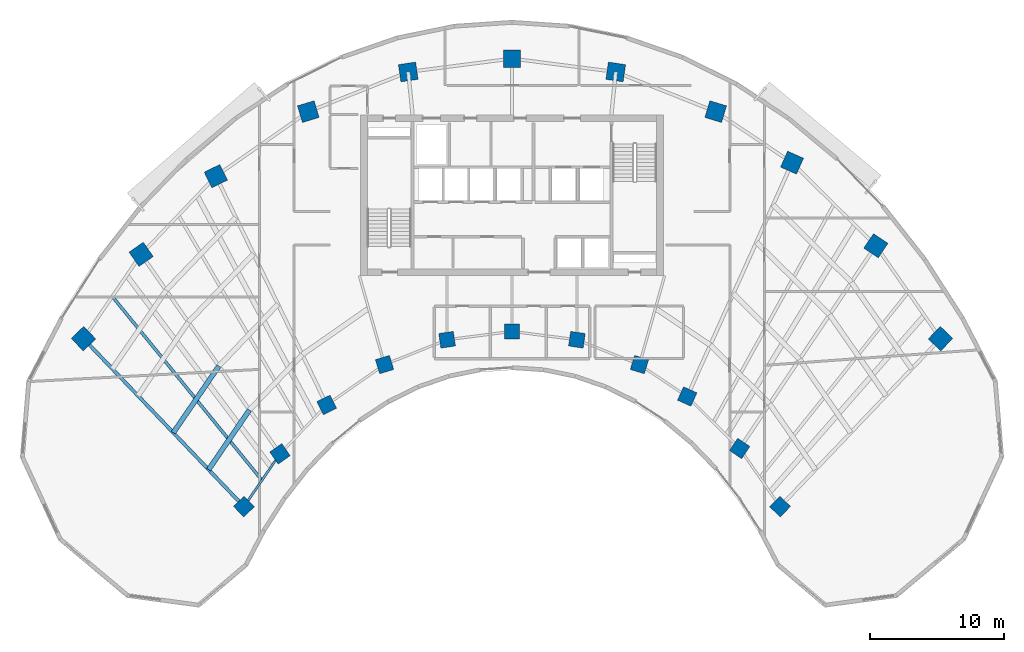
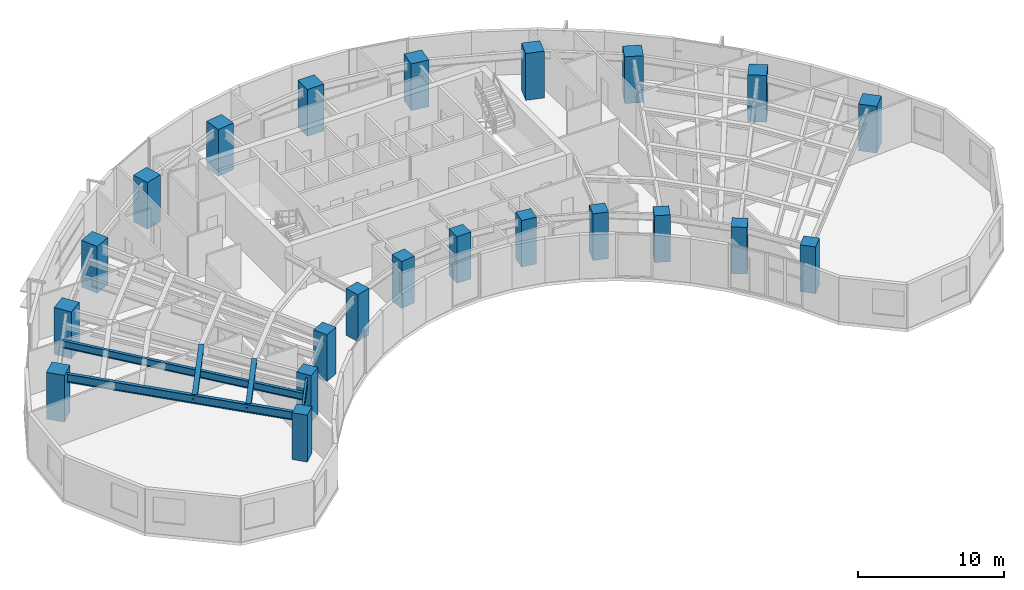
# One storey, part 1 of 14: 22 columns, 5 beams.
"""IFC4 building model written with IfcOpenShell, lengths in metres."""

from ifc_helpers import new_model, si_unit, direction, frame, origin, origin_2d, place, context, subcontext, project, spatial, rectangle, i_section, extrude, source, transform, mapped, material, material_profile, profile_set, type_object, type_shapes, element, save


model = new_model("IFC4")

# Units and contexts
model_context = context("Model", 3, precision=1e-05, world=origin(), true_north=direction((0.0, 1.0)))
body_context = subcontext(model_context, "Body", "Model", "MODEL_VIEW")
ifc_project = project(units=[si_unit("LENGTHUNIT", "METRE"), si_unit("AREAUNIT", "SQUARE_METRE"), si_unit("VOLUMEUNIT", "CUBIC_METRE"), si_unit("PLANEANGLEUNIT", "RADIAN"), si_unit("MASSUNIT", "GRAM", prefix="KILO")], contexts=[model_context])

# Site, building, storey
site_placement = place(None, origin())
site = spatial("IfcSite", under=ifc_project, at=site_placement, CompositionType="ELEMENT")
building_placement = place(site_placement, origin())
building = spatial("IfcBuilding", under=site, at=building_placement, Name="Breltana Convention Tower", CompositionType="ELEMENT")
storey_placement = place(building_placement, frame((0.0, 0.0, 103.800048828125)))
storey = spatial("IfcBuildingStorey", under=building, at=storey_placement, Name="L24", CompositionType="ELEMENT", Elevation=103.800048828125)

# Columns
ifc_material_1 = material(Name="Concrete C60/75", Category="concrete")
ifc_material_profile_1 = material_profile(ifc_material_1, rectangle(XDim=1.10009765625, YDim=1.10009765625, at=origin_2d()), Name="RC-COL-1100X1100")
ifc_profile_set_1 = profile_set([ifc_material_profile_1], Name="Concrete C60/75")
column_type_1 = type_object("IfcColumnType", Name="COL-RC-1100", PredefinedType="COLUMN", material=ifc_profile_set_1)
shared_shape_1 = source(origin(), body_context, "Body", "SweptSolid", [
    extrude(rectangle(XDim=1.10009765625, YDim=1.10009765625, at=origin_2d()), origin(), (0.0, 0.0, 1.0), 3.89990234375),
])
for number, where, z_axis, x_axis, name in (
    (1, (27.984619140625, 42.95458984375, 0.0), (0.0, 0.0, 1.0), (-0.690756218984, 0.723087716626, 0.0), "L24 Tower Column R01-IN"),
    (2, (30.67724609375, 46.892333984375, 0.0), (0.0, 0.0, 1.0), (-0.571143442153, 0.820850271661, 0.0), "L24 Tower Column R02-IN"),
    (3, (34.166259765625, 50.544921875, 0.0), (0.0, 0.0, 1.0), (-0.436173672171, 0.899862504889, 0.0), "L24 Tower Column R03-IN"),
    (4, (38.485107421875, 53.5576171875, 0.0), (0.0, 0.0, 1.0), (-0.288697611798, 0.957420330337, 0.0), "L24 Tower Column R04-IN"),
    (5, (43.153564453125, 55.41064453125, 0.0), (0.0, 0.0, 1.0), (-0.143492621991, 0.98965138682, 0.0), "L24 Tower Column R05-IN"),
    (6, (48.0, 56.035888671875, 0.0), (0.0, 0.0, 1.0), (0.0, 1.0, 0.0), "L24 Tower Column R06-IN"),
    (7, (52.846435546875, 55.41064453125, 0.0), (0.0, 0.0, 1.0), (0.143492621991, 0.98965138682, 0.0), "L24 Tower Column R07-IN"),
    (8, (57.514892578125, 53.5576171875, 0.0), (0.0, 0.0, 1.0), (0.288697611798, 0.957420330337, 0.0), "L24 Tower Column R08-IN"),
    (9, (61.08203125, 51.174560546875, 0.0), (0.0, 0.0, 1.0), (0.409126902895, 0.912477494148, 0.0), "L24 Tower Column R09-IN"),
    (10, (64.995849609375, 47.293701171875, 0.0), (0.0, 0.0, 1.0), (0.55774510898, 0.830012285095, 0.0), "L24 Tower Column R10-IN"),
    (11, (68.015380859375, 42.95458984375, 0.0), (0.0, 0.0, 1.0), (0.690756218984, 0.723087716626, 0.0), "L24 Tower Column R11-IN"),
):
    element("IfcColumn", number, at=place(storey_placement, frame(where, z_axis=z_axis, x_axis=x_axis)), inside=storey, type_object=column_type_1, Name=name, PredefinedType="COLUMN", context=body_context, shape_type="MappedRepresentation", body=[
        mapped(shared_shape_1, transform((0.0, 0.0, 0.0), scale=1.0)),
    ])
ifc_material_profile_2 = material_profile(ifc_material_1, rectangle(XDim=1.300048828125, YDim=1.300048828125, at=origin_2d()), Name="RC-COL-1300X1300")
ifc_profile_set_2 = profile_set([ifc_material_profile_2], Name="Concrete C60/75")
column_type_2 = type_object("IfcColumnType", Name="COL-RC-1300", PredefinedType="COLUMN", material=ifc_profile_set_2)
shared_shape_2 = source(origin(), body_context, "Body", "SweptSolid", [
    extrude(rectangle(XDim=1.300048828125, YDim=1.300048828125, at=origin_2d()), origin(), (0.0, 0.0, 1.0), 3.89990234375),
])
for number, where, z_axis, x_axis, name in (
    (12, (16.0068359375, 55.494384765625, 0.0), (0.0, 0.0, 1.0), (-0.690756218984, 0.723087716626, 0.0), "L24 Tower Column R01-OUT"),
    (13, (20.310791015625, 61.78857421875, 0.0), (0.0, 0.0, 1.0), (-0.571143442153, 0.820850271661, 0.0), "L24 Tower Column R02-OUT"),
    (14, (25.8876953125, 67.626953125, 0.0), (0.0, 0.0, 1.0), (-0.436173672171, 0.899862504889, 0.0), "L24 Tower Column R03-OUT"),
    (15, (32.791015625, 72.4423828125, 0.0), (0.0, 0.0, 1.0), (-0.288697611798, 0.957420330337, 0.0), "L24 Tower Column R04-OUT"),
    (16, (40.253173828125, 75.404296875, 0.0), (0.0, 0.0, 1.0), (-0.143492621991, 0.98965138682, 0.0), "L24 Tower Column R05-OUT"),
    (17, (48.0, 76.404052734375, 0.0), (0.0, 0.0, 1.0), (0.0, 1.0, 0.0), "L24 Tower Column R06-OUT"),
    (18, (55.746826171875, 75.404296875, 0.0), (0.0, 0.0, 1.0), (0.143492621991, 0.98965138682, 0.0), "L24 Tower Column R07-OUT"),
    (19, (63.208984375, 72.4423828125, 0.0), (0.0, 0.0, 1.0), (0.288697611798, 0.957420330337, 0.0), "L24 Tower Column R08-OUT"),
    (20, (68.910400390625, 68.63330078125, 0.0), (0.0, 0.0, 1.0), (0.409126902895, 0.912477494148, 0.0), "L24 Tower Column R09-OUT"),
    (21, (75.166748046875, 62.43017578125, 0.0), (0.0, 0.0, 1.0), (0.55774510898, 0.830012285095, 0.0), "L24 Tower Column R10-OUT"),
    (22, (79.9931640625, 55.494384765625, 0.0), (0.0, 0.0, 1.0), (0.690756218984, 0.723087716626, 0.0), "L24 Tower Column R11-OUT"),
):
    element("IfcColumn", number, at=place(storey_placement, frame(where, z_axis=z_axis, x_axis=x_axis)), inside=storey, type_object=column_type_2, Name=name, PredefinedType="COLUMN", context=body_context, shape_type="MappedRepresentation", body=[
        mapped(shared_shape_2, transform((0.0, 0.0, 0.0), scale=1.0)),
    ])

# Beams
ifc_material_2 = material(Name="Steel ASTM A992 Grade 50", Category="steel")
ifc_material_profile_3 = material_profile(ifc_material_2, i_section(OverallWidth=0.25390625, OverallDepth=0.68798828125, WebThickness=0.01318359375, FlangeThickness=0.02099609375, at=origin_2d()), Name="W27X102")
ifc_profile_set_3 = profile_set([ifc_material_profile_3], Name="Steel ASTM A992 Grade 50")
beam_type_1 = type_object("IfcBeamType", Name="BM-RG-W27X102", PredefinedType="USERDEFINED", material=ifc_profile_set_3)
shared_shape_3 = source(origin(), body_context, "Body", "SweptSolid", [
    extrude(i_section(OverallWidth=0.25390625, OverallDepth=0.68798828125, WebThickness=0.01318359375, FlangeThickness=0.02099609375, at=origin_2d()), origin(), (0.0, 0.0, 1.0), 17.341064453125),
])
type_shapes(beam_type_1, [shared_shape_3])
beam_1_placement = place(storey_placement, frame((27.984619140625, 42.95458984375, 3.305908203125), z_axis=(-0.690716462293, 0.723125693581, 0.0), x_axis=(-0.723125693581, -0.690716462293, 0.0)))
element("IfcBeam", 23, at=beam_1_placement, inside=storey, type_object=beam_type_1, Name="L24 Radial Floor Girder R01", ObjectType="GIRDER", PredefinedType="USERDEFINED", context=body_context, shape_type="MappedRepresentation", body=[
    mapped(shared_shape_3, transform((0.0, 0.0, 0.0), scale=1.0)),
])
ifc_material_profile_4 = material_profile(ifc_material_2, i_section(OverallWidth=0.166015625, OverallDepth=0.534912109375, WebThickness=0.01025390625, FlangeThickness=0.0166015625, at=origin_2d()), Name="W21X57")
ifc_profile_set_4 = profile_set([ifc_material_profile_4], Name="Steel ASTM A992 Grade 50")
beam_type_2 = type_object("IfcBeamType", Name="BM-BM-W21X57", PredefinedType="BEAM", material=ifc_profile_set_4)
shared_shape_4 = source(origin(), body_context, "Body", "SweptSolid", [
    extrude(i_section(OverallWidth=0.166015625, OverallDepth=0.534912109375, WebThickness=0.01025390625, FlangeThickness=0.0166015625, at=origin_2d()), origin(), (0.0, 0.0, 1.0), 4.770263671875),
])
beam_2_placement = place(storey_placement, frame((27.984619140625, 42.95458984375, 3.382568359375), z_axis=(0.564452719055, 0.82546540082, 0.0), x_axis=(-0.82546540082, 0.564452719055, 0.0)))
element("IfcBeam", 24, at=beam_2_placement, inside=storey, type_object=beam_type_2, Name="L24 Inner Ring Beam 01", PredefinedType="BEAM", context=body_context, shape_type="MappedRepresentation", body=[
    mapped(shared_shape_4, transform((0.0, 0.0, 0.0), scale=1.0)),
])
ifc_material_profile_5 = material_profile(ifc_material_2, i_section(OverallWidth=0.368896484375, OverallDepth=0.35595703125, WebThickness=0.01123046875, FlangeThickness=0.01806640625, at=origin_2d()), Name="W14X90")
ifc_profile_set_5 = profile_set([ifc_material_profile_5], Name="Steel ASTM A992 Grade 50")
beam_type_3 = type_object("IfcBeamType", Name="BM-JSG-09", PredefinedType="JOIST", material=ifc_profile_set_5)
shared_shape_5 = source(origin(), body_context, "Body", "SweptSolid", [
    extrude(i_section(OverallWidth=0.368896484375, OverallDepth=0.35595703125, WebThickness=0.01123046875, FlangeThickness=0.01806640625, at=origin_2d()), origin(), (0.0, 0.0, 1.0), 5.3984375),
])
beam_3_placement = place(storey_placement, frame((25.349365234375, 45.71337890625, 3.471923828125), z_axis=(0.564440705434, 0.825473615599, 0.0), x_axis=(-0.825473615599, 0.564440705434, 0.0)))
element("IfcBeam", 25, at=beam_3_placement, inside=storey, type_object=beam_type_3, Name="L24 Composite Floor Joist 01.1", PredefinedType="JOIST", context=body_context, shape_type="MappedRepresentation", body=[
    mapped(shared_shape_5, transform((0.0, 0.0, 0.0), scale=1.0)),
])
shared_shape_6 = source(origin(), body_context, "Body", "SweptSolid", [
    extrude(i_section(OverallWidth=0.368896484375, OverallDepth=0.35595703125, WebThickness=0.01123046875, FlangeThickness=0.01806640625, at=origin_2d()), origin(), (0.0, 0.0, 1.0), 6.0263671875),
])
beam_4_placement = place(storey_placement, frame((22.71435546875, 48.47216796875, 3.471923828125), z_axis=(0.564450071397, 0.825467211281, 0.0), x_axis=(-0.825467211281, 0.564450071397, 0.0)))
element("IfcBeam", 26, at=beam_4_placement, inside=storey, type_object=beam_type_3, Name="L24 Composite Floor Joist 01.2", PredefinedType="JOIST", context=body_context, shape_type="MappedRepresentation", body=[
    mapped(shared_shape_6, transform((0.0, 0.0, 0.0), scale=1.0)),
])
ifc_material_profile_6 = material_profile(ifc_material_2, i_section(OverallWidth=0.22802734375, OverallDepth=0.60791015625, WebThickness=0.01123046875, FlangeThickness=0.017333984375, at=origin_2d()), Name="W24X76")
ifc_profile_set_6 = profile_set([ifc_material_profile_6], Name="Steel ASTM A992 Grade 50")
beam_type_4 = type_object("IfcBeamType", Name="BM-JSG-02", PredefinedType="JOIST", material=ifc_profile_set_6)
shared_shape_7 = source(origin(), body_context, "Body", "SweptSolid", [
    extrude(i_section(OverallWidth=0.22802734375, OverallDepth=0.60791015625, WebThickness=0.01123046875, FlangeThickness=0.017333984375, at=origin_2d()), origin(), (0.0, 0.0, 1.0), 17.691650390625),
])
type_shapes(beam_type_4, [shared_shape_7])
beam_5_placement = place(storey_placement, frame((29.330810546875, 44.923583984375, 3.345947265625), z_axis=(-0.631476958478, 0.775394642044, 0.0), x_axis=(-0.775394642044, -0.631476958478, 0.0)))
element("IfcBeam", 27, at=beam_5_placement, inside=storey, type_object=beam_type_4, Name="L24 Mid-Bay Radial Trimmer 01", PredefinedType="JOIST", context=body_context, shape_type="MappedRepresentation", body=[
    mapped(shared_shape_7, transform((0.0, 0.0, 0.0), scale=1.0)),
])

save(model, "model.ifc")
